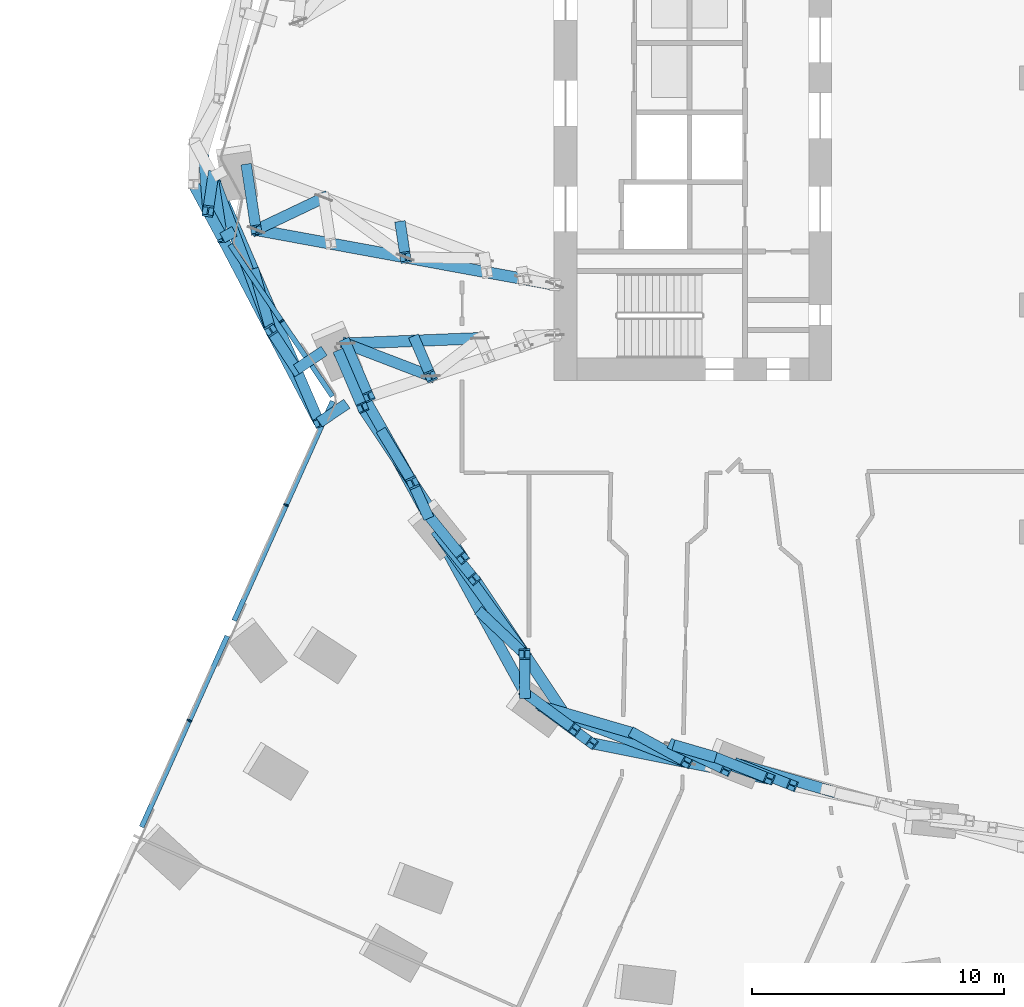
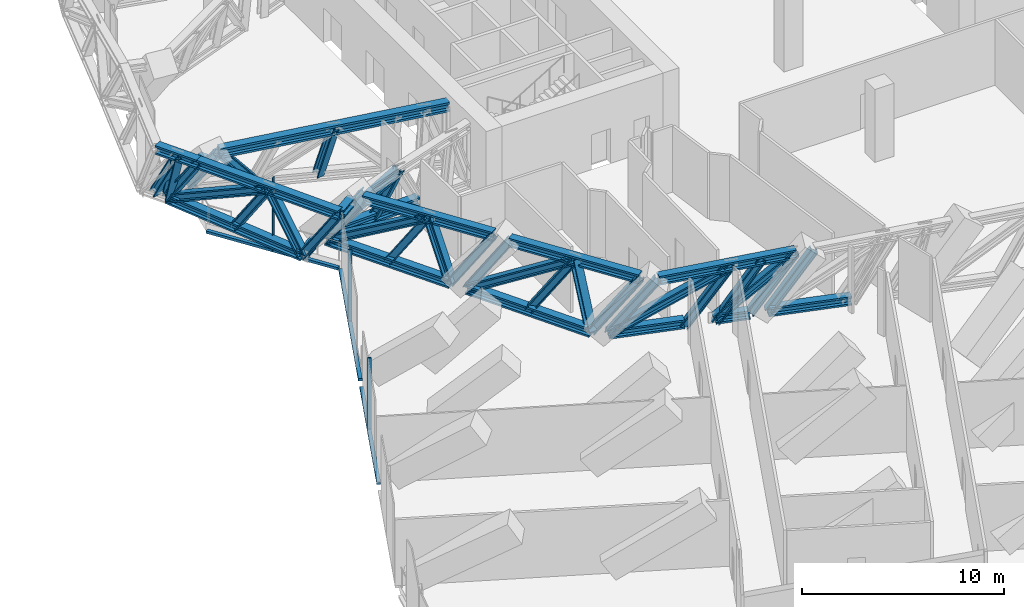
# One storey, part 6 of 39: 52 members, 2 elements without a shape of their own.
"""IFC4 building model written with IfcOpenShell, lengths in metres."""

from ifc_helpers import new_model, si_unit, direction, frame, origin, origin_2d, place, context, subcontext, project, spatial, rectangle, i_section, extrude, material, material_profile, profile_set, type_object, element, aggregate, save


model = new_model("IFC4")

# Units and contexts
model_context = context("Model", 3, precision=1e-05, world=origin(), true_north=direction((0.0, 1.0)))
body_context = subcontext(model_context, "Body", "Model", "MODEL_VIEW")
ifc_project = project(units=[si_unit("LENGTHUNIT", "METRE"), si_unit("AREAUNIT", "SQUARE_METRE"), si_unit("VOLUMEUNIT", "CUBIC_METRE"), si_unit("PLANEANGLEUNIT", "RADIAN"), si_unit("MASSUNIT", "GRAM", prefix="KILO")], contexts=[model_context])

# Site, building, storey
site_placement = place(None, origin())
site = spatial("IfcSite", under=ifc_project, at=site_placement, CompositionType="ELEMENT")
building_placement = place(site_placement, origin())
building = spatial("IfcBuilding", under=site, at=building_placement, Name="Orlundy Tower", CompositionType="ELEMENT")
storey_placement = place(building_placement, frame((0.0, 0.0, 141.199951171875)))
storey = spatial("IfcBuildingStorey", under=building, at=storey_placement, Name="L36", CompositionType="ELEMENT", Elevation=141.199951171875)

# Members
ifc_material_1 = material(Name="Steel ASTM A992 Gr 50", Category="steel")
ifc_material_profile_1 = material_profile(ifc_material_1, i_section(OverallWidth=0.4423828125, OverallDepth=0.531494140625, WebThickness=0.06591796875, FlangeThickness=0.105712890625, at=origin_2d()), Name="W14X605")
ifc_profile_set_1 = profile_set([ifc_material_profile_1], Name="Steel ASTM A992 Gr 50")
member_type_1 = type_object("IfcMemberType", Name="BELT TRUSS chord W14X605", PredefinedType="CHORD", material=ifc_profile_set_1)
member_1_placement = place(storey_placement, frame((-32.524658203125, -3.9189453125, 0.28466796875), z_axis=(0.397074070678, -0.917786566907, 0.0), x_axis=(0.917786566907, 0.397074070678, 0.0)))
element("IfcMember", 1, at=member_1_placement, inside=storey, type_object=member_type_1, Name="Belt truss bottom chord BT-01A", PredefinedType="CHORD", context=body_context, shape_type="SweptSolid", body=[
    extrude(i_section(OverallWidth=0.4423828125, OverallDepth=0.531494140625, WebThickness=0.06591796875, FlangeThickness=0.105712890625, at=origin_2d()), origin(), (0.0, 0.0, 1.0), 8.324951171875),
])
member_2_placement = place(storey_placement, frame((-32.154296875, -6.343505859375, 3.71533203125), z_axis=(0.464653811237, -0.885492425548, 0.0), x_axis=(0.885492425548, 0.464653811237, 0.0)))
element("IfcMember", 2, at=member_2_placement, inside=storey, type_object=member_type_1, Name="Belt truss top chord BT-01A", PredefinedType="CHORD", context=body_context, shape_type="SweptSolid", body=[
    extrude(i_section(OverallWidth=0.4423828125, OverallDepth=0.531494140625, WebThickness=0.06591796875, FlangeThickness=0.105712890625, at=origin_2d()), origin(), (0.0, 0.0, 1.0), 8.263427734375),
])
member_3_placement = place(storey_placement, frame((-27.501953125, -10.968994140625, 0.28466796875), z_axis=(0.480213596365, -0.877151584315, 0.0), x_axis=(0.877151584315, 0.480213596365, 0.0)))
element("IfcMember", 3, at=member_3_placement, inside=storey, type_object=member_type_1, Name="Belt truss bottom chord BT-02", PredefinedType="CHORD", context=body_context, shape_type="SweptSolid", body=[
    extrude(i_section(OverallWidth=0.4423828125, OverallDepth=0.531494140625, WebThickness=0.06591796875, FlangeThickness=0.105712890625, at=origin_2d()), origin(), (0.0, 0.0, 1.0), 7.1708984375),
])
member_4_placement = place(storey_placement, frame((-26.59765625, -13.070068359375, 3.71533203125), z_axis=(0.554849448078, -0.831950773764, 0.0), x_axis=(0.831950773764, 0.554849448078, 0.0)))
element("IfcMember", 4, at=member_4_placement, inside=storey, type_object=member_type_1, Name="Belt truss top chord BT-02", PredefinedType="CHORD", context=body_context, shape_type="SweptSolid", body=[
    extrude(i_section(OverallWidth=0.4423828125, OverallDepth=0.531494140625, WebThickness=0.06591796875, FlangeThickness=0.105712890625, at=origin_2d()), origin(), (0.0, 0.0, 1.0), 7.171875),
])
member_5_placement = place(storey_placement, frame((-23.6044921875, -18.087890625, 0.28466796875), z_axis=(0.480199256026, -0.877159435059, 0.0), x_axis=(0.877159435059, 0.480199256026, 0.0)))
element("IfcMember", 5, at=member_5_placement, inside=storey, type_object=member_type_1, Name="Belt truss bottom chord BT-03", PredefinedType="CHORD", context=body_context, shape_type="SweptSolid", body=[
    extrude(i_section(OverallWidth=0.4423828125, OverallDepth=0.531494140625, WebThickness=0.06591796875, FlangeThickness=0.105712890625, at=origin_2d()), origin(), (0.0, 0.0, 1.0), 7.171142578125),
])
member_6_placement = place(storey_placement, frame((-22.16455078125, -19.865478515625, 3.71533203125), z_axis=(0.55488087748, -0.831929811827, 0.0), x_axis=(0.831929811827, 0.55488087748, 0.0)))
element("IfcMember", 6, at=member_6_placement, inside=storey, type_object=member_type_1, Name="Belt truss top chord BT-03", PredefinedType="CHORD", context=body_context, shape_type="SweptSolid", body=[
    extrude(i_section(OverallWidth=0.4423828125, OverallDepth=0.531494140625, WebThickness=0.06591796875, FlangeThickness=0.105712890625, at=origin_2d()), origin(), (0.0, 0.0, 1.0), 7.17138671875),
])
member_7_placement = place(storey_placement, frame((-19.48046875, -24.92529296875, 0.28466796875), z_axis=(0.959784768183, -0.280736885293, 0.0), x_axis=(0.280736885293, 0.959784768183, 0.0)))
element("IfcMember", 7, at=member_7_placement, inside=storey, type_object=member_type_1, Name="Belt truss bottom chord BT-04", PredefinedType="CHORD", context=body_context, shape_type="SweptSolid", body=[
    extrude(i_section(OverallWidth=0.4423828125, OverallDepth=0.531494140625, WebThickness=0.06591796875, FlangeThickness=0.105712890625, at=origin_2d()), origin(), (0.0, 0.0, 1.0), 3.8291015625),
])
member_8_placement = place(storey_placement, frame((-14.27001953125, -26.449462890625, 0.28466796875), z_axis=(0.959797279297, -0.280694108692, 0.0), x_axis=(0.280694108692, 0.959797279297, 0.0)))
element("IfcMember", 8, at=member_8_placement, inside=storey, type_object=member_type_1, Name="Belt truss bottom chord BT-042", PredefinedType="CHORD", context=body_context, shape_type="SweptSolid", body=[
    extrude(i_section(OverallWidth=0.4423828125, OverallDepth=0.531494140625, WebThickness=0.06591796875, FlangeThickness=0.105712890625, at=origin_2d()), origin(), (0.0, 0.0, 1.0), 1.7421875),
])
member_9_placement = place(storey_placement, frame((-17.5048828125, -26.378662109375, 3.71533203125), z_axis=(0.980622550078, -0.195906646846, 0.0), x_axis=(0.195906646846, 0.980622550078, 0.0)))
element("IfcMember", 9, at=member_9_placement, inside=storey, type_object=member_type_1, Name="Belt truss top chord BT-04", PredefinedType="CHORD", context=body_context, shape_type="SweptSolid", body=[
    extrude(i_section(OverallWidth=0.4423828125, OverallDepth=0.531494140625, WebThickness=0.06591796875, FlangeThickness=0.105712890625, at=origin_2d()), origin(), (0.0, 0.0, 1.0), 7.171875),
])
member_10_placement = place(storey_placement, frame((-11.69091796875, -27.20361328125, 0.28466796875), z_axis=(0.959810913905, -0.280647482705, 0.0), x_axis=(0.280647482705, 0.959810913905, 0.0)))
element("IfcMember", 10, at=member_10_placement, inside=storey, type_object=member_type_1, Name="Belt truss bottom chord BT-05", PredefinedType="CHORD", context=body_context, shape_type="SweptSolid", body=[
    extrude(i_section(OverallWidth=0.4423828125, OverallDepth=0.531494140625, WebThickness=0.06591796875, FlangeThickness=0.105712890625, at=origin_2d()), origin(), (0.0, 0.0, 1.0), 4.213134765625),
])
member_11_placement = place(storey_placement, frame((-33.2978515625, -4.221923828125, 3.71533203125), z_axis=(0.474474299576, -0.88026935596, 0.0), x_axis=(0.88026935596, 0.474474299576, 0.0)))
element("IfcMember", 11, at=member_11_placement, inside=storey, type_object=member_type_1, Name="Belt truss top chord BT-24B", PredefinedType="CHORD", context=body_context, shape_type="SweptSolid", body=[
    extrude(i_section(OverallWidth=0.4423828125, OverallDepth=0.531494140625, WebThickness=0.06591796875, FlangeThickness=0.105712890625, at=origin_2d()), origin(), (0.0, 0.0, 1.0), 2.41015625),
])
ifc_material_2 = material(Name="Steel ASTM A992 Gr 50", Category="steel")
ifc_material_profile_2 = material_profile(ifc_material_2, i_section(OverallWidth=0.42431640625, OverallDepth=0.47412109375, WebThickness=0.0478515625, FlangeThickness=0.0771484375, at=origin_2d()), Name="W14X426")
ifc_profile_set_2 = profile_set([ifc_material_profile_2], Name="Steel ASTM A992 Gr 50")
member_type_2 = type_object("IfcMemberType", Name="BELT TRUSS diagonal W14X426", PredefinedType="BRACE", material=ifc_profile_set_2)
member_12_placement = place(storey_placement, frame((-32.524658203125, -3.9189453125, 0.28466796875), z_axis=(0.311578046477, -0.827674859708, 0.466769158752), x_axis=(0.93588233269, 0.352312729487, 0.0)))
element("IfcMember", 12, at=member_12_placement, inside=storey, type_object=member_type_2, Name="Belt truss diagonal BT-01A-0", PredefinedType="BRACE", context=body_context, shape_type="SweptSolid", body=[
    extrude(i_section(OverallWidth=0.42431640625, OverallDepth=0.47412109375, WebThickness=0.0478515625, FlangeThickness=0.0771484375, at=origin_2d()), origin(), (0.0, 0.0, 1.0), 7.349853515625),
])
member_13_placement = place(storey_placement, frame((-30.234619140625, -10.002197265625, 3.71533203125), z_axis=(0.260276719073, -0.399111824752, -0.879184725101), x_axis=(0.837623657895, 0.546247753071, 0.0)))
element("IfcMember", 13, at=member_13_placement, inside=storey, type_object=member_type_2, Name="Belt truss diagonal BT-01A-1", PredefinedType="BRACE", context=body_context, shape_type="SweptSolid", body=[
    extrude(i_section(OverallWidth=0.42431640625, OverallDepth=0.47412109375, WebThickness=0.0478515625, FlangeThickness=0.0771484375, at=origin_2d()), origin(), (0.0, 0.0, 1.0), 3.902099609375),
])
member_14_placement = place(storey_placement, frame((-27.501953125, -10.968994140625, 0.28466796875), z_axis=(0.426718186119, -0.74969064823, 0.505841399641), x_axis=(0.869079083795, 0.494673171003, 0.0)))
element("IfcMember", 14, at=member_14_placement, inside=storey, type_object=member_type_2, Name="Belt truss diagonal BT-02-0", PredefinedType="BRACE", context=body_context, shape_type="SweptSolid", body=[
    extrude(i_section(OverallWidth=0.42431640625, OverallDepth=0.47412109375, WebThickness=0.0478515625, FlangeThickness=0.0771484375, at=origin_2d()), origin(), (0.0, 0.0, 1.0), 6.781982421875),
])
member_15_placement = place(storey_placement, frame((-24.60791015625, -16.053466796875, 3.71533203125), z_axis=(0.149433892313, -0.327811888157, -0.932849868849), x_axis=(0.909917893678, 0.414788412043, 0.0)))
element("IfcMember", 15, at=member_15_placement, inside=storey, type_object=member_type_2, Name="Belt truss diagonal BT-02-1", PredefinedType="BRACE", context=body_context, shape_type="SweptSolid", body=[
    extrude(i_section(OverallWidth=0.42431640625, OverallDepth=0.47412109375, WebThickness=0.0478515625, FlangeThickness=0.0771484375, at=origin_2d()), origin(), (0.0, 0.0, 1.0), 3.677734375),
])
member_16_placement = place(storey_placement, frame((-23.6044921875, -18.087890625, 0.28466796875), z_axis=(0.504613844754, -0.700417522698, 0.504757527512), x_axis=(0.811362252082, 0.584543664662, 0.0)))
element("IfcMember", 16, at=member_16_placement, inside=storey, type_object=member_type_2, Name="Belt truss diagonal BT-03-0", PredefinedType="BRACE", context=body_context, shape_type="SweptSolid", body=[
    extrude(i_section(OverallWidth=0.42431640625, OverallDepth=0.47412109375, WebThickness=0.0478515625, FlangeThickness=0.0771484375, at=origin_2d()), origin(), (0.0, 0.0, 1.0), 6.796630859375),
])
member_17_placement = place(storey_placement, frame((-20.1748046875, -22.848388671875, 3.71533203125), z_axis=(0.003704700125, -0.407257034788, -0.913306072909), x_axis=(0.999958627479, 0.009096336062, 0.0)))
element("IfcMember", 17, at=member_17_placement, inside=storey, type_object=member_type_2, Name="Belt truss diagonal BT-03-1", PredefinedType="BRACE", context=body_context, shape_type="SweptSolid", body=[
    extrude(i_section(OverallWidth=0.42431640625, OverallDepth=0.47412109375, WebThickness=0.0478515625, FlangeThickness=0.0771484375, at=origin_2d()), origin(), (0.0, 0.0, 1.0), 3.75634765625),
])
member_18_placement = place(storey_placement, frame((-19.48046875, -24.92529296875, 0.28466796875), z_axis=(0.814816005194, -0.313305327719, 0.487764952926), x_axis=(0.35889381449, 0.933378395894, 0.0)))
element("IfcMember", 18, at=member_18_placement, inside=storey, type_object=member_type_2, Name="Belt truss diagonal BT-04-0", PredefinedType="BRACE", context=body_context, shape_type="SweptSolid", body=[
    extrude(i_section(OverallWidth=0.42431640625, OverallDepth=0.47412109375, WebThickness=0.0478515625, FlangeThickness=0.0771484375, at=origin_2d()), origin(), (0.0, 0.0, 1.0), 7.033447265625),
])
member_19_placement = place(storey_placement, frame((-14.27001953125, -26.449462890625, 0.28466796875), z_axis=(0.718091310681, -0.252257441208, 0.648622427055), x_axis=(0.331433470947, 0.94347859241, 0.0)))
element("IfcMember", 19, at=member_19_placement, inside=storey, type_object=member_type_2, Name="Belt truss diagonal BT-04-2", PredefinedType="BRACE", context=body_context, shape_type="SweptSolid", body=[
    extrude(i_section(OverallWidth=0.42431640625, OverallDepth=0.47412109375, WebThickness=0.0478515625, FlangeThickness=0.0771484375, at=origin_2d()), origin(), (0.0, 0.0, 1.0), 5.2890625),
])
member_20_placement = place(storey_placement, frame((-32.72607421875, -5.28271484375, 3.71533203125), z_axis=(0.054476784373, 0.368857354553, -0.927888210916), x_axis=(-0.98926897265, 0.146105782749, 0.0)))
element("IfcMember", 20, at=member_20_placement, inside=storey, type_object=member_type_2, Name="Belt truss diagonal BT-24B-1", PredefinedType="BRACE", context=body_context, shape_type="SweptSolid", body=[
    extrude(i_section(OverallWidth=0.42431640625, OverallDepth=0.47412109375, WebThickness=0.0478515625, FlangeThickness=0.0771484375, at=origin_2d()), origin(), (0.0, 0.0, 1.0), 3.697265625),
])
ifc_material_3 = material(Name="Steel ASTM A992 Gr 50", Category="steel")
ifc_material_profile_3 = material_profile(ifc_material_3, i_section(OverallWidth=0.412109375, OverallDepth=0.434814453125, WebThickness=0.035888671875, FlangeThickness=0.057373046875, at=origin_2d()), Name="W14X311")
ifc_profile_set_3 = profile_set([ifc_material_profile_3], Name="Steel ASTM A992 Gr 50")
member_type_3 = type_object("IfcMemberType", Name="BELT TRUSS post W14X311", PredefinedType="POST", material=ifc_profile_set_3)
member_21_placement = place(storey_placement, frame((-30.871826171875, -7.7392578125, 0.28466796875), z_axis=(0.153215571028, -0.544120738642, 0.824898545625), x_axis=(0.962567157848, 0.27104329291, 0.0)))
element("IfcMember", 21, at=member_21_placement, inside=storey, type_object=member_type_3, Name="Belt truss post BT-01A-1", PredefinedType="POST", context=body_context, shape_type="SweptSolid", body=[
    extrude(i_section(OverallWidth=0.412109375, OverallDepth=0.434814453125, WebThickness=0.035888671875, FlangeThickness=0.057373046875, at=origin_2d()), origin(), (0.0, 0.0, 1.0), 4.158935546875),
])
for number, where, z_axis, x_axis, name in (
    (22, (-29.218994140625, -11.5595703125, 0.28466796875), (0.219313102962, -0.50955954754, 0.83201612387), (0.918536668831, 0.395335791465, 0.0), "Belt truss post BT-01A-2"),
    (23, (-27.501953125, -10.968994140625, 0.28466796875), (0.219313102962, -0.50955954754, 0.83201612387), (0.918536668831, 0.395335791465, 0.0), "Belt truss post BT-02-0"),
):
    element("IfcMember", number, at=place(storey_placement, frame(where, z_axis=z_axis, x_axis=x_axis)), inside=storey, type_object=member_type_3, Name=name, PredefinedType="POST", context=body_context, shape_type="SweptSolid", body=[
        extrude(i_section(OverallWidth=0.412109375, OverallDepth=0.434814453125, WebThickness=0.035888671875, FlangeThickness=0.057373046875, at=origin_2d()), origin(), (0.0, 0.0, 1.0), 4.123291015625),
    ])
member_22_placement = place(storey_placement, frame((-25.7802734375, -14.114013671875, 0.28466796875), z_axis=(0.285134565266, -0.471701163363, 0.834383779907), x_axis=(0.855796315495, 0.517312928878, 0.0)))
element("IfcMember", 24, at=member_22_placement, inside=storey, type_object=member_type_3, Name="Belt truss post BT-02-1", PredefinedType="POST", context=body_context, shape_type="SweptSolid", body=[
    extrude(i_section(OverallWidth=0.412109375, OverallDepth=0.434814453125, WebThickness=0.035888671875, FlangeThickness=0.057373046875, at=origin_2d()), origin(), (0.0, 0.0, 1.0), 4.111572265625),
])
for number, where, z_axis, x_axis, name in (
    (25, (-24.058349609375, -17.259033203125, 0.28466796875), (0.349209298449, -0.43109408308, 0.831992041675), (0.777043520905, 0.629446873548, 0.0), "Belt truss post BT-02-2"),
    (26, (-23.6044921875, -18.087890625, 0.28466796875), (0.349209298449, -0.43109408308, 0.831992041675), (0.777043520905, 0.629446873548, 0.0), "Belt truss post BT-03-0"),
):
    element("IfcMember", number, at=place(storey_placement, frame(where, z_axis=z_axis, x_axis=x_axis)), inside=storey, type_object=member_type_3, Name=name, PredefinedType="POST", context=body_context, shape_type="SweptSolid", body=[
        extrude(i_section(OverallWidth=0.412109375, OverallDepth=0.434814453125, WebThickness=0.035888671875, FlangeThickness=0.057373046875, at=origin_2d()), origin(), (0.0, 0.0, 1.0), 4.12353515625),
    ])
member_23_placement = place(storey_placement, frame((-21.8828125, -21.233154296875, 0.28466796875), z_axis=(0.410695950675, -0.388388280399, 0.824914165079), x_axis=(0.687099115942, 0.726563696362, 0.0)))
element("IfcMember", 27, at=member_23_placement, inside=storey, type_object=member_type_3, Name="Belt truss post BT-03-1", PredefinedType="POST", context=body_context, shape_type="SweptSolid", body=[
    extrude(i_section(OverallWidth=0.412109375, OverallDepth=0.434814453125, WebThickness=0.035888671875, FlangeThickness=0.057373046875, at=origin_2d()), origin(), (0.0, 0.0, 1.0), 4.15869140625),
])
for number, where, z_axis, x_axis, name in (
    (28, (-20.160888671875, -24.378173828125, 0.28466796875), (0.468460446708, -0.344629886215, 0.813495575524), (0.592584267085, 0.805508464514, 0.0), "Belt truss post BT-03-2"),
    (29, (-19.48046875, -24.92529296875, 0.28466796875), (0.468460446708, -0.344629886215, 0.813495575524), (0.592584267085, 0.805508464514, 0.0), "Belt truss post BT-04-0"),
):
    element("IfcMember", number, at=place(storey_placement, frame(where, z_axis=z_axis, x_axis=x_axis)), inside=storey, type_object=member_type_3, Name=name, PredefinedType="POST", context=body_context, shape_type="SweptSolid", body=[
        extrude(i_section(OverallWidth=0.412109375, OverallDepth=0.434814453125, WebThickness=0.035888671875, FlangeThickness=0.057373046875, at=origin_2d()), origin(), (0.0, 0.0, 1.0), 4.21728515625),
    ])
member_24_placement = place(storey_placement, frame((-15.805419921875, -26.000244140625, 0.01904296875), z_axis=(0.469645128542, -0.257827981148, 0.84436851278), x_axis=(0.481235286656, 0.876591466349, 0.0)))
element("IfcMember", 30, at=member_24_placement, inside=storey, type_object=member_type_3, Name="Belt truss post BT-04-1", PredefinedType="POST", context=body_context, shape_type="SweptSolid", body=[
    extrude(i_section(OverallWidth=0.412109375, OverallDepth=0.434814453125, WebThickness=0.035888671875, FlangeThickness=0.057373046875, at=origin_2d()), origin(), (0.0, 0.0, 1.0), 4.377685546875),
])
member_25_placement = place(storey_placement, frame((-14.27001953125, -26.449462890625, 0.01904296875), z_axis=(0.47919955462, -0.227702370445, 0.847655246752), x_axis=(0.429183810283, 0.903217170447, 0.0)))
element("IfcMember", 31, at=member_25_placement, inside=storey, type_object=member_type_3, Name="Belt truss post BT-04-2", PredefinedType="POST", context=body_context, shape_type="SweptSolid", body=[
    extrude(i_section(OverallWidth=0.412109375, OverallDepth=0.434814453125, WebThickness=0.035888671875, FlangeThickness=0.057373046875, at=origin_2d()), origin(), (0.0, 0.0, 1.0), 4.360595703125),
])
for number, where, z_axis, x_axis, name in (
    (32, (-12.597900390625, -26.9384765625, 0.28466796875), (0.515570158408, -0.204972885669, 0.831969667656), (0.369439589287, 0.929254749715, 0.0), "Belt truss post BT-04-3"),
    (33, (-11.69091796875, -27.20361328125, 0.28466796875), (0.515570158408, -0.204972885669, 0.831969667656), (0.369439589287, 0.929254749715, 0.0), "Belt truss post BT-05-0"),
):
    element("IfcMember", number, at=place(storey_placement, frame(where, z_axis=z_axis, x_axis=x_axis)), inside=storey, type_object=member_type_3, Name=name, PredefinedType="POST", context=body_context, shape_type="SweptSolid", body=[
        extrude(i_section(OverallWidth=0.412109375, OverallDepth=0.434814453125, WebThickness=0.035888671875, FlangeThickness=0.057373046875, at=origin_2d()), origin(), (0.0, 0.0, 1.0), 4.12353515625),
    ])
member_26_placement = place(storey_placement, frame((-32.886474609375, -3.247314453125, 0.28466796875), z_axis=(0.040177969037, -0.509838246362, 0.859331538669), x_axis=(0.996909248719, 0.078561757995, 0.0)))
element("IfcMember", 34, at=member_26_placement, inside=storey, type_object=member_type_3, Name="Belt truss post BT-24B-1", PredefinedType="POST", context=body_context, shape_type="SweptSolid", body=[
    extrude(i_section(OverallWidth=0.412109375, OverallDepth=0.434814453125, WebThickness=0.035888671875, FlangeThickness=0.057373046875, at=origin_2d()), origin(), (0.0, 0.0, 1.0), 3.9921875),
])
member_27_placement = place(storey_placement, frame((-32.524658203125, -3.9189453125, 0.28466796875), z_axis=(0.087820775186, -0.574916360167, 0.81348551939), x_axis=(0.988533391172, 0.151002432223, 0.0)))
element("IfcMember", 35, at=member_27_placement, inside=storey, type_object=member_type_3, Name="Belt truss post BT-24B-2", PredefinedType="POST", context=body_context, shape_type="SweptSolid", body=[
    extrude(i_section(OverallWidth=0.412109375, OverallDepth=0.434814453125, WebThickness=0.035888671875, FlangeThickness=0.057373046875, at=origin_2d()), origin(), (0.0, 0.0, 1.0), 4.21728515625),
])
ifc_material_4 = material(Name="Steel ASTM A992 Gr 50", Category="steel")
ifc_material_profile_4 = material_profile(ifc_material_4, i_section(OverallWidth=0.43212890625, OverallDepth=0.497802734375, WebThickness=0.0556640625, FlangeThickness=0.0888671875, at=origin_2d()), Name="W14X500")
ifc_profile_set_4 = profile_set([ifc_material_profile_4], Name="Steel ASTM A992 Gr 50")
member_type_4 = type_object("IfcMemberType", Name="BELT TRUSS strut W14X500", PredefinedType="STRUT", material=ifc_profile_set_4)
member_28_placement = place(storey_placement, frame((-31.6728515625, -6.084228515625, 3.71533203125), z_axis=(-0.88044242581, -0.4741530711, 0.0), x_axis=(0.4741530711, -0.88044242581, 0.0)))
element("IfcMember", 36, at=member_28_placement, inside=storey, type_object=member_type_4, Name="Belt truss bracket C-H16", PredefinedType="STRUT", context=body_context, shape_type="SweptSolid", body=[
    extrude(i_section(OverallWidth=0.43212890625, OverallDepth=0.497802734375, WebThickness=0.0556640625, FlangeThickness=0.0888671875, at=origin_2d()), origin(), (0.0, 0.0, 1.0), 0.546875),
])
member_29_placement = place(storey_placement, frame((-28.12060546875, -10.818603515625, 0.28466796875), z_axis=(-0.829004582075, -0.559241810757, 0.0), x_axis=(0.559241810757, -0.829004582075, 0.0)))
element("IfcMember", 37, at=member_29_placement, inside=storey, type_object=member_type_4, Name="Belt truss bracket C-H15", PredefinedType="STRUT", context=body_context, shape_type="SweptSolid", body=[
    extrude(i_section(OverallWidth=0.43212890625, OverallDepth=0.497802734375, WebThickness=0.0556640625, FlangeThickness=0.0888671875, at=origin_2d()), origin(), (0.0, 0.0, 1.0), 1.324951171875),
])
member_30_placement = place(storey_placement, frame((-27.21630859375, -12.919921875, 3.71533203125), z_axis=(-0.829090008665, -0.559115155877, 0.0), x_axis=(0.559115155877, -0.829090008665, 0.0)))
element("IfcMember", 38, at=member_30_placement, inside=storey, type_object=member_type_4, Name="Belt truss bracket C-H15", PredefinedType="STRUT", context=body_context, shape_type="SweptSolid", body=[
    extrude(i_section(OverallWidth=0.43212890625, OverallDepth=0.497802734375, WebThickness=0.0556640625, FlangeThickness=0.0888671875, at=origin_2d()), origin(), (0.0, 0.0, 1.0), 1.32470703125),
])

# Curtain wall, members
ifc_material_5 = material(Name="Aluminium bronze anodised", Category="aluminium")
curtain_wall_type = type_object("IfcCurtainWallType", Name="CW4 wall", PredefinedType="NOTDEFINED", material=ifc_material_5)
curtain_wall_1_placement = place(storey_placement, origin())
curtain_wall_1 = element("IfcCurtainWall", 39, at=curtain_wall_1_placement, inside=storey, type_object=curtain_wall_type, Name="CW4 run 012", PredefinedType="NOTDEFINED")
ifc_material_6 = material(Name="Aluminium bronze anodised", Category="aluminium")
ifc_material_profile_5 = material_profile(ifc_material_6, rectangle(XDim=0.199951171875, YDim=0.06005859375, at=origin_2d()), Name="CW4 mullion 60x200")
ifc_profile_set_5 = profile_set([ifc_material_profile_5], Name="Aluminium bronze anodised")
member_type_5 = type_object("IfcMemberType", Name="CW4 mullion 60x200", PredefinedType="MULLION", material=ifc_profile_set_5)
member_31_placement = place(storey_placement, frame((-33.46435546875, -25.48046875, -0.449951171875), z_axis=(0.0, 0.0, 1.0), x_axis=(-0.912353085589, 0.409404258912, 0.0)))
member_31 = element("IfcMember", 40, at=member_31_placement, type_object=member_type_5, Name="CW4 mullion 23", PredefinedType="MULLION", context=body_context, shape_type="SweptSolid", body=[
    extrude(rectangle(XDim=0.199951171875, YDim=0.06005859375, at=origin_2d()), origin(), (0.0, 0.0, 1.0), 4.449951171875),
])
member_32_placement = place(storey_placement, frame((-29.62890625, -16.93359375, -0.449951171875), z_axis=(0.0, 0.0, 1.0), x_axis=(-0.912353085589, 0.409404258912, 0.0)))
member_32 = element("IfcMember", 41, at=member_32_placement, type_object=member_type_5, Name="CW4 mullion 25", PredefinedType="MULLION", context=body_context, shape_type="SweptSolid", body=[
    extrude(rectangle(XDim=0.199951171875, YDim=0.06005859375, at=origin_2d()), origin(), (0.0, 0.0, 1.0), 4.449951171875),
])

# Curtain wall, member
curtain_wall_2_placement = place(storey_placement, origin())
curtain_wall_2 = element("IfcCurtainWall", 42, at=curtain_wall_2_placement, inside=storey, type_object=curtain_wall_type, Name="CW4 run 013", PredefinedType="NOTDEFINED")
member_33_placement = place(storey_placement, frame((-29.802978515625, -9.643310546875, -0.449951171875), z_axis=(0.0, 0.0, 1.0), x_axis=(-0.829047727729, -0.559177847512, 0.0)))
member_33 = element("IfcMember", 43, at=member_33_placement, type_object=member_type_5, Name="CW4 mullion 27", PredefinedType="MULLION", context=body_context, shape_type="SweptSolid", body=[
    extrude(rectangle(XDim=0.199951171875, YDim=0.06005859375, at=origin_2d()), origin(), (0.0, 0.0, 1.0), 4.449951171875),
])

# Member
ifc_material_7 = material(Name="Aluminium bronze anodised", Category="aluminium")
ifc_material_profile_6 = material_profile(ifc_material_7, rectangle(XDim=0.199951171875, YDim=0.14990234375, at=origin_2d()), Name="CW4 transom 200x150")
ifc_profile_set_6 = profile_set([ifc_material_profile_6], Name="Aluminium bronze anodised")
member_type_6 = type_object("IfcMemberType", Name="CW4 transom 200x150", PredefinedType="USERDEFINED", material=ifc_profile_set_6)
member_34_placement = place(storey_placement, frame((-35.35595703125, -29.696044921875, -0.375), z_axis=(0.409418427034, 0.912346727733, 0.0), x_axis=(-0.912346727733, 0.409418427034, 0.0)))
member_34 = element("IfcMember", 44, at=member_34_placement, type_object=member_type_6, Name="CW4 transom", ObjectType="TRANSOM", PredefinedType="USERDEFINED", context=body_context, shape_type="SweptSolid", body=[
    extrude(rectangle(XDim=0.199951171875, YDim=0.14990234375, at=origin_2d()), origin(), (0.0, 0.0, 1.0), 8.294677734375),
])

member_35_placement = place(storey_placement, frame((-31.685302734375, -21.51611328125, -0.375), z_axis=(0.409402932937, 0.912353680599, 0.0), x_axis=(-0.912353680599, 0.409402932937, 0.0)))
member_35 = element("IfcMember", 45, at=member_35_placement, type_object=member_type_6, Name="CW4 transom", ObjectType="TRANSOM", PredefinedType="USERDEFINED", context=body_context, shape_type="SweptSolid", body=[
    extrude(rectangle(XDim=0.199951171875, YDim=0.14990234375, at=origin_2d()), origin(), (0.0, 0.0, 1.0), 9.53369140625),
])

aggregate(curtain_wall_1, [member_31, member_32, member_34, member_35])

member_36_placement = place(storey_placement, frame((-27.7900390625, -12.6279296875, -0.375), z_axis=(-0.559157267135, 0.829061608453, 0.0), x_axis=(-0.829061608453, -0.559157267135, 0.0)))
member_36 = element("IfcMember", 46, at=member_36_placement, type_object=member_type_6, Name="CW4 transom", ObjectType="TRANSOM", PredefinedType="USERDEFINED", context=body_context, shape_type="SweptSolid", body=[
    extrude(rectangle(XDim=0.199951171875, YDim=0.14990234375, at=origin_2d()), origin(), (0.0, 0.0, 1.0), 7.25537109375),
])

aggregate(curtain_wall_2, [member_33, member_36])

# Members
ifc_material_8 = material(Name="Steel ASTM A992 Gr 50", Category="steel")
ifc_material_profile_7 = material_profile(ifc_material_8, i_section(OverallWidth=0.454345703125, OverallDepth=0.569580078125, WebThickness=0.077880859375, FlangeThickness=0.124755859375, at=origin_2d()), Name="W14X730")
ifc_profile_set_7 = profile_set([ifc_material_profile_7], Name="Steel ASTM A992 Gr 50")
member_type_7 = type_object("IfcMemberType", Name="OUTRIGGER TRUSS chord W14X730", PredefinedType="CHORD", material=ifc_profile_set_7)
member_37_placement = place(storey_placement, frame((-21.942626953125, -10.320068359375, 0.28466796875), z_axis=(-0.999180072167, -0.040486829772, 0.0), x_axis=(0.040486829772, -0.999180072167, 0.0)))
element("IfcMember", 47, at=member_37_placement, inside=storey, type_object=member_type_7, Name="Outrigger truss bottom chord OR-W-C-H152", PredefinedType="CHORD", context=body_context, shape_type="SweptSolid", body=[
    extrude(i_section(OverallWidth=0.454345703125, OverallDepth=0.569580078125, WebThickness=0.077880859375, FlangeThickness=0.124755859375, at=origin_2d()), origin(), (0.0, 0.0, 1.0), 5.318603515625),
])
member_38_placement = place(storey_placement, frame((-18.97998046875, -8.199951171875, 3.71533203125), z_axis=(-0.983552830897, 0.180620676651, 0.0), x_axis=(-0.180620676651, -0.983552830897, 0.0)))
element("IfcMember", 48, at=member_38_placement, inside=storey, type_object=member_type_7, Name="Outrigger truss top chord OR-W-C-H16", PredefinedType="CHORD", context=body_context, shape_type="SweptSolid", body=[
    extrude(i_section(OverallWidth=0.454345703125, OverallDepth=0.569580078125, WebThickness=0.077880859375, FlangeThickness=0.124755859375, at=origin_2d()), origin(), (0.0, 0.0, 1.0), 12.03271484375),
])
ifc_material_9 = material(Name="Steel ASTM A992 Gr 50", Category="steel")
ifc_material_profile_8 = material_profile(ifc_material_9, i_section(OverallWidth=0.43212890625, OverallDepth=0.497802734375, WebThickness=0.0556640625, FlangeThickness=0.0888671875, at=origin_2d()), Name="W14X500")
ifc_profile_set_8 = profile_set([ifc_material_profile_8], Name="Steel ASTM A992 Gr 50")
member_type_8 = type_object("IfcMemberType", Name="OUTRIGGER TRUSS diagonal W14X500", PredefinedType="BRACE", material=ifc_profile_set_8)
member_39_placement = place(storey_placement, frame((-23.89501953125, -11.82421875, 3.71533203125), z_axis=(-0.675992035901, 0.259154826254, -0.689835881516), x_axis=(-0.357965572324, -0.933734785167, 0.0)))
element("IfcMember", 49, at=member_39_placement, inside=storey, type_object=member_type_8, Name="Outrigger truss diagonal OR-W-C-H15-3", PredefinedType="BRACE", context=body_context, shape_type="SweptSolid", body=[
    extrude(i_section(OverallWidth=0.43212890625, OverallDepth=0.497802734375, WebThickness=0.0556640625, FlangeThickness=0.0888671875, at=origin_2d()), origin(), (0.0, 0.0, 1.0), 4.97314453125),
])
member_40_placement = place(storey_placement, frame((-28.1337890625, -4.75146484375, 0.28466796875), z_axis=(-0.590922499481, -0.281066224824, 0.756182766843), x_axis=(0.429528124367, -0.903053481461, 0.0)))
element("IfcMember", 50, at=member_40_placement, inside=storey, type_object=member_type_8, Name="Outrigger truss diagonal OR-W-C-H16-4", PredefinedType="BRACE", context=body_context, shape_type="SweptSolid", body=[
    extrude(i_section(OverallWidth=0.43212890625, OverallDepth=0.497802734375, WebThickness=0.0556640625, FlangeThickness=0.0888671875, at=origin_2d()), origin(), (0.0, 0.0, 1.0), 4.536865234375),
])
ifc_material_10 = material(Name="Steel ASTM A992 Gr 50", Category="steel")
ifc_material_profile_9 = material_profile(ifc_material_10, i_section(OverallWidth=0.41845703125, OverallDepth=0.455078125, WebThickness=0.0419921875, FlangeThickness=0.067626953125, at=origin_2d()), Name="W14X370")
ifc_profile_set_9 = profile_set([ifc_material_profile_9], Name="Steel ASTM A992 Gr 50")
member_type_9 = type_object("IfcMemberType", Name="OUTRIGGER TRUSS post W14X370", PredefinedType="POST", material=ifc_profile_set_9)
member_41_placement = place(storey_placement, frame((-24.497802734375, -10.423583984375, 0.28466796875), z_axis=(0.160559147388, -0.373077289819, 0.913802000442), x_axis=(0.918547707485, 0.395310142893, 0.0)))
element("IfcMember", 51, at=member_41_placement, inside=storey, type_object=member_type_9, Name="Outrigger truss post OR-W-C-H15-3", PredefinedType="POST", context=body_context, shape_type="SweptSolid", body=[
    extrude(i_section(OverallWidth=0.41845703125, OverallDepth=0.455078125, WebThickness=0.0419921875, FlangeThickness=0.067626953125, at=origin_2d()), origin(), (0.0, 0.0, 1.0), 3.75439453125),
])
member_42_placement = place(storey_placement, frame((-27.2568359375, -10.535400390625, 0.28466796875), z_axis=(0.219369463778, -0.509552929898, 0.832005318489), x_axis=(0.918497908371, 0.395425836685, 0.0)))
element("IfcMember", 52, at=member_42_placement, inside=storey, type_object=member_type_9, Name="Outrigger truss post OR-W-C-H15-4", PredefinedType="POST", context=body_context, shape_type="SweptSolid", body=[
    extrude(i_section(OverallWidth=0.41845703125, OverallDepth=0.455078125, WebThickness=0.0419921875, FlangeThickness=0.067626953125, at=origin_2d()), origin(), (0.0, 0.0, 1.0), 4.123291015625),
])
member_43_placement = place(storey_placement, frame((-25.08251953125, -5.90087890625, 0.28466796875), z_axis=(0.050794247895, -0.332776035679, 0.941636901602), x_axis=(0.988550511529, 0.150890311667, 0.0)))
element("IfcMember", 53, at=member_43_placement, inside=storey, type_object=member_type_9, Name="Outrigger truss post OR-W-C-H16-3", PredefinedType="POST", context=body_context, shape_type="SweptSolid", body=[
    extrude(i_section(OverallWidth=0.41845703125, OverallDepth=0.455078125, WebThickness=0.0419921875, FlangeThickness=0.067626953125, at=origin_2d()), origin(), (0.0, 0.0, 1.0), 3.643310546875),
])
member_44_placement = place(storey_placement, frame((-31.18505859375, -3.601806640625, 0.28466796875), z_axis=(0.087817852287, -0.574955114645, 0.813458444522), x_axis=(0.988535660526, 0.150987575213, 0.0)))
element("IfcMember", 54, at=member_44_placement, inside=storey, type_object=member_type_9, Name="Outrigger truss post OR-W-C-H16-5", PredefinedType="POST", context=body_context, shape_type="SweptSolid", body=[
    extrude(i_section(OverallWidth=0.41845703125, OverallDepth=0.455078125, WebThickness=0.0419921875, FlangeThickness=0.067626953125, at=origin_2d()), origin(), (0.0, 0.0, 1.0), 4.21728515625),
])

save(model, "model.ifc")
